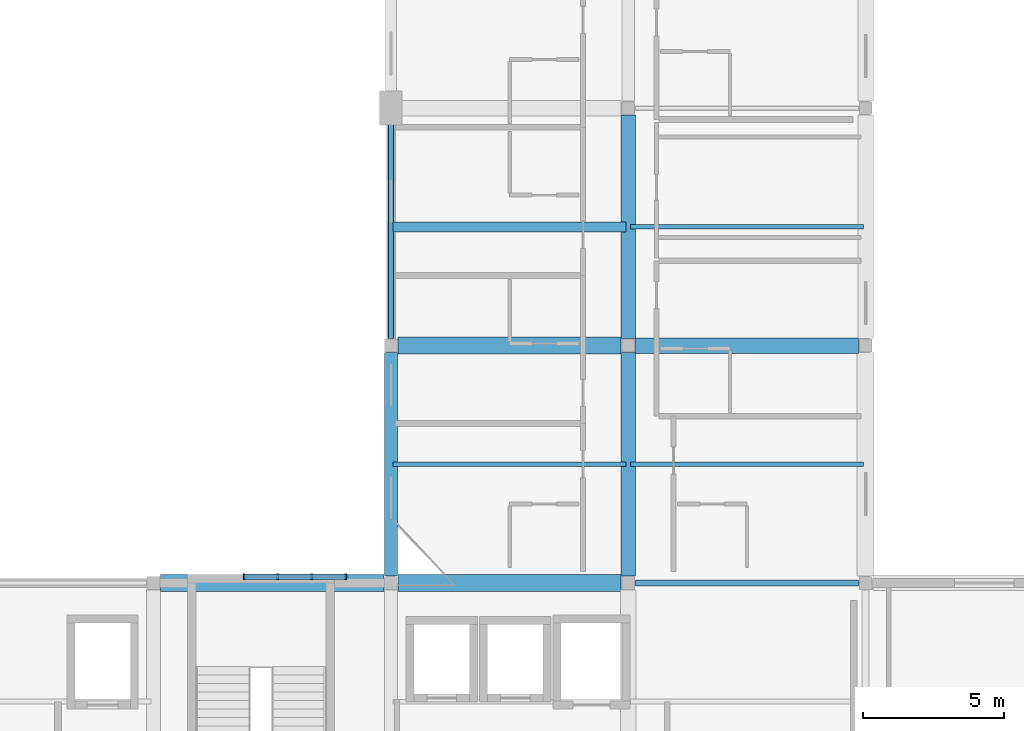
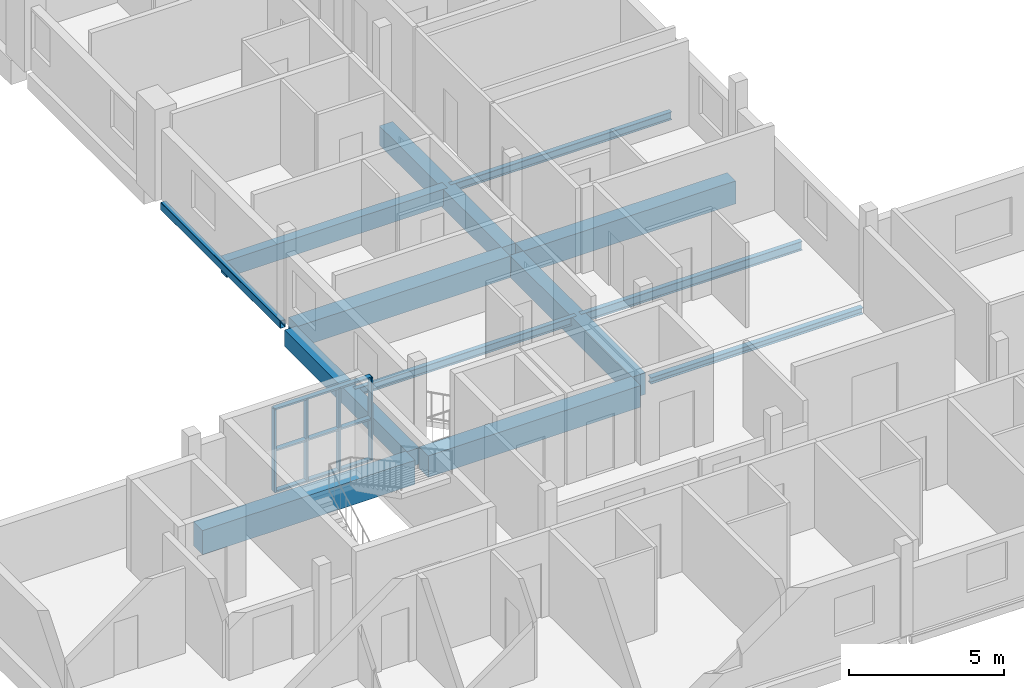
# One storey, part 2 of 19: 13 beams, 7 members, 1 element without a shape of its own.
"""IFC4 building model written with IfcOpenShell, lengths in metres."""

from ifc_helpers import new_model, si_unit, derived_unit, direction, frame, origin, origin_2d, place, context, subcontext, project, spatial, rectangle, hollow_rectangle, i_section, extrude, material, material_profile, profile_set, type_object, element, aggregate, save


model = new_model("IFC4")

# Units and contexts
model_context = context("Model", 3, precision=1e-05, world=origin(), true_north=direction((0.0, 1.0)))
body_context = subcontext(model_context, "Body", "Model", "MODEL_VIEW")
ifc_project = project(units=[si_unit("LENGTHUNIT", "METRE"), si_unit("AREAUNIT", "SQUARE_METRE"), si_unit("VOLUMEUNIT", "CUBIC_METRE"), si_unit("PLANEANGLEUNIT", "RADIAN"), si_unit("MASSUNIT", "GRAM", prefix="KILO"), derived_unit("THERMALTRANSMITTANCEUNIT", [(si_unit("POWERUNIT", "WATT"), 1), (si_unit("LENGTHUNIT", "METRE"), -2), (si_unit("THERMODYNAMICTEMPERATUREUNIT", "KELVIN"), -1)])], contexts=[model_context])

# Site, building, storey
site_placement = place(None, origin())
site = spatial("IfcSite", under=ifc_project, at=site_placement, CompositionType="ELEMENT")
building_placement = place(site_placement, origin())
building = spatial("IfcBuilding", under=site, at=building_placement, Name="Barrovel Congress Hotel", CompositionType="ELEMENT")
storey_placement = place(building_placement, frame((0.0, 0.0, 43.5)))
storey = spatial("IfcBuildingStorey", under=building, at=storey_placement, Name="L11", CompositionType="ELEMENT", Elevation=43.5)

# Beams
ifc_material_1 = material(Name="Concrete C40", Category="concrete")
ifc_material_profile_1 = material_profile(ifc_material_1, rectangle(XDim=0.35009765625, YDim=0.64990234375, at=origin_2d()), Name="RC350x650")
ifc_profile_set_1 = profile_set([ifc_material_profile_1], Name="Concrete C40")
beam_type_1 = type_object("IfcBeamType", Name="BM-RC350x650", PredefinedType="JOIST", material=ifc_profile_set_1)
beam_1_placement = place(storey_placement, frame((33.679931640625, 33.60009765625, -0.544921875), z_axis=(1.0, 0.0, 0.0), x_axis=(0.0, 1.0, 0.0)))
element("IfcBeam", 1, at=beam_1_placement, inside=storey, type_object=beam_type_1, Name="JST:L11:33.6:33.6", PredefinedType="JOIST", context=body_context, shape_type="SweptSolid", body=[
    extrude(rectangle(XDim=0.35009765625, YDim=0.64990234375, at=origin_2d()), origin(), (0.0, 0.0, 1.0), 8.239990234375),
])
ifc_material_profile_2 = material_profile(ifc_material_1, rectangle(XDim=0.449951171875, YDim=0.64990234375, at=origin_2d()), Name="RC450x650")
ifc_profile_set_2 = profile_set([ifc_material_profile_2], Name="Concrete C40")
beam_type_2 = type_object("IfcBeamType", Name="BM-RC450x650", PredefinedType="BEAM", material=ifc_profile_set_2)
beam_2_placement = place(storey_placement, frame((33.60009765625, 21.25, -0.544921875), z_axis=(0.0, 1.0, 0.0), x_axis=(-1.0, 0.0, 0.0)))
element("IfcBeam", 2, at=beam_2_placement, inside=storey, type_object=beam_type_2, Name="BMY:L11:33.6:21.0-29.4", PredefinedType="BEAM", context=body_context, shape_type="SweptSolid", body=[
    extrude(rectangle(XDim=0.449951171875, YDim=0.64990234375, at=origin_2d()), origin(), (0.0, 0.0, 1.0), 7.89990234375),
])
ifc_material_profile_3 = material_profile(ifc_material_1, rectangle(XDim=0.5, YDim=0.75, at=origin_2d()), Name="RC500x750")
ifc_profile_set_3 = profile_set([ifc_material_profile_3], Name="Concrete C40")
beam_type_3 = type_object("IfcBeamType", Name="BM-RC500x750", PredefinedType="BEAM", material=ifc_profile_set_3)
beam_3_placement = place(storey_placement, frame((42.0, 29.64990234375, -0.594970703125), z_axis=(0.0, 1.0, 0.0), x_axis=(-1.0, 0.0, 0.0)))
element("IfcBeam", 3, at=beam_3_placement, inside=storey, type_object=beam_type_3, Name="BMY:L11:42.0:29.4-37.8", PredefinedType="BEAM", context=body_context, shape_type="SweptSolid", body=[
    extrude(rectangle(XDim=0.5, YDim=0.75, at=origin_2d()), origin(), (0.0, 0.0, 1.0), 7.900146484375),
])
ifc_material_profile_4 = material_profile(ifc_material_1, rectangle(XDim=0.5, YDim=0.85009765625, at=origin_2d()), Name="RC500x850")
ifc_profile_set_4 = profile_set([ifc_material_profile_4], Name="Concrete C40")
beam_type_4 = type_object("IfcBeamType", Name="BM-RC500x850", PredefinedType="BEAM", material=ifc_profile_set_4)
beam_4_placement = place(storey_placement, frame((42.0, 21.25, -0.64501953125), z_axis=(0.0, 1.0, 0.0), x_axis=(-1.0, 0.0, 0.0)))
element("IfcBeam", 4, at=beam_4_placement, inside=storey, type_object=beam_type_4, Name="BMY:L11:42.0:21.0-29.4", PredefinedType="BEAM", context=body_context, shape_type="SweptSolid", body=[
    extrude(rectangle(XDim=0.5, YDim=0.85009765625, at=origin_2d()), origin(), (0.0, 0.0, 1.0), 7.89990234375),
])
ifc_material_profile_5 = material_profile(ifc_material_1, rectangle(XDim=0.550048828125, YDim=0.89990234375, at=origin_2d()), Name="RC550x900")
ifc_profile_set_5 = profile_set([ifc_material_profile_5], Name="Concrete C40")
beam_type_5 = type_object("IfcBeamType", Name="BM-RC550x900", PredefinedType="BEAM", material=ifc_profile_set_5)
beam_5_placement = place(storey_placement, frame((42.25, 29.39990234375, -0.669921875), z_axis=(1.0, 0.0, 0.0), x_axis=(0.0, 1.0, 0.0)))
element("IfcBeam", 5, at=beam_5_placement, inside=storey, type_object=beam_type_5, Name="BMX:L11:29.4:42.0-50.4", PredefinedType="BEAM", context=body_context, shape_type="SweptSolid", body=[
    extrude(rectangle(XDim=0.550048828125, YDim=0.89990234375, at=origin_2d()), origin(), (0.0, 0.0, 1.0), 7.89990234375),
])
ifc_material_profile_6 = material_profile(ifc_material_1, rectangle(XDim=0.60009765625, YDim=0.85009765625, at=origin_2d()), Name="RC600x850")
ifc_profile_set_6 = profile_set([ifc_material_profile_6], Name="Concrete C40")
beam_type_6 = type_object("IfcBeamType", Name="BM-RC600x850", PredefinedType="BEAM", material=ifc_profile_set_6)
for number, where, z_axis, x_axis, name in (
    (6, (33.85009765625, 21.0, -0.64501953125), (1.0, 0.0, 0.0), (0.0, 1.0, 0.0), "BMX:L11:21.0:33.6-42.0"),
    (7, (33.85009765625, 29.39990234375, -0.64501953125), (1.0, 0.0, 0.0), (0.0, 1.0, 0.0), "BMX:L11:29.4:33.6-42.0"),
):
    element("IfcBeam", number, at=place(storey_placement, frame(where, z_axis=z_axis, x_axis=x_axis)), inside=storey, type_object=beam_type_6, Name=name, PredefinedType="BEAM", context=body_context, shape_type="SweptSolid", body=[
        extrude(rectangle(XDim=0.60009765625, YDim=0.85009765625, at=origin_2d()), origin(), (0.0, 0.0, 1.0), 7.89990234375),
    ])
ifc_material_profile_7 = material_profile(ifc_material_1, rectangle(XDim=0.60009765625, YDim=0.949951171875, at=origin_2d()), Name="RC600x950")
ifc_profile_set_7 = profile_set([ifc_material_profile_7], Name="Concrete C40")
beam_type_7 = type_object("IfcBeamType", Name="BM-RC600x950", PredefinedType="BEAM", material=ifc_profile_set_7)
beam_6_placement = place(storey_placement, frame((25.449951171875, 21.0, -0.695068359375), z_axis=(1.0, 0.0, 0.0), x_axis=(0.0, 1.0, 0.0)))
element("IfcBeam", 8, at=beam_6_placement, inside=storey, type_object=beam_type_7, Name="BMX:L11:21.0:25.2-33.6", PredefinedType="BEAM", context=body_context, shape_type="SweptSolid", body=[
    extrude(rectangle(XDim=0.60009765625, YDim=0.949951171875, at=origin_2d()), origin(), (0.0, 0.0, 1.0), 7.900146484375),
])

# Curtain wall, members
ifc_material_2 = material(Name="Anodised Aluminium Alloy 6063-T6", Category="aluminium")
curtain_wall_type = type_object("IfcCurtainWallType", Name="CW-UN-3600x3200", PredefinedType="USERDEFINED", material=ifc_material_2)
curtain_wall_placement = place(storey_placement, origin())
curtain_wall = element("IfcCurtainWall", 9, at=curtain_wall_placement, inside=storey, type_object=curtain_wall_type, Name="CW:L11:UN-3", ObjectType="UNITISED CURTAIN WALL", PredefinedType="USERDEFINED")
ifc_material_profile_8 = material_profile(ifc_material_2, rectangle(XDim=0.06494140625, YDim=0.219970703125, at=origin_2d()), Name="AL-M65x220")
ifc_profile_set_8 = profile_set([ifc_material_profile_8], Name="Anodised Aluminium Alloy 6063-T6")
member_type_1 = type_object("IfcMemberType", Name="CWM-AL-M65x220", PredefinedType="MULLION", material=ifc_profile_set_8)
member_1_placement = place(storey_placement, frame((28.39990234375, 21.219970703125, 0.0), z_axis=(0.0, 0.0, 1.0), x_axis=(1.0, 0.0, 0.0)))
member_1 = element("IfcMember", 10, at=member_1_placement, type_object=member_type_1, Name="CW:L11:UN-3:M0", PredefinedType="MULLION", context=body_context, shape_type="SweptSolid", body=[
    extrude(rectangle(XDim=0.06494140625, YDim=0.219970703125, at=origin_2d()), origin(), (0.0, 0.0, 1.0), 3.25),
])
member_2_placement = place(storey_placement, frame((29.60009765625, 21.219970703125, 0.0), z_axis=(0.0, 0.0, 1.0), x_axis=(1.0, 0.0, 0.0)))
member_2 = element("IfcMember", 11, at=member_2_placement, type_object=member_type_1, Name="CW:L11:UN-3:M1", PredefinedType="MULLION", context=body_context, shape_type="SweptSolid", body=[
    extrude(rectangle(XDim=0.06494140625, YDim=0.219970703125, at=origin_2d()), origin(), (0.0, 0.0, 1.0), 3.25),
])
member_3_placement = place(storey_placement, frame((30.800048828125, 21.219970703125, 0.0), z_axis=(0.0, 0.0, 1.0), x_axis=(1.0, 0.0, 0.0)))
member_3 = element("IfcMember", 12, at=member_3_placement, type_object=member_type_1, Name="CW:L11:UN-3:M2", PredefinedType="MULLION", context=body_context, shape_type="SweptSolid", body=[
    extrude(rectangle(XDim=0.06494140625, YDim=0.219970703125, at=origin_2d()), origin(), (0.0, 0.0, 1.0), 3.25),
])
member_4_placement = place(storey_placement, frame((32.0, 21.219970703125, 0.0), z_axis=(0.0, 0.0, 1.0), x_axis=(1.0, 0.0, 0.0)))
member_4 = element("IfcMember", 13, at=member_4_placement, type_object=member_type_1, Name="CW:L11:UN-3:M3", PredefinedType="MULLION", context=body_context, shape_type="SweptSolid", body=[
    extrude(rectangle(XDim=0.06494140625, YDim=0.219970703125, at=origin_2d()), origin(), (0.0, 0.0, 1.0), 3.25),
])
ifc_material_profile_9 = material_profile(ifc_material_2, rectangle(XDim=0.179931640625, YDim=0.06494140625, at=origin_2d()), Name="AL-T65x180")
ifc_profile_set_9 = profile_set([ifc_material_profile_9], Name="Anodised Aluminium Alloy 6063-T6")
member_type_2 = type_object("IfcMemberType", Name="CWT-AL-T65x180", PredefinedType="USERDEFINED", material=ifc_profile_set_9)
member_5_placement = place(storey_placement, frame((28.39990234375, 21.219970703125, 0.0), z_axis=(1.0, 0.0, 0.0), x_axis=(0.0, 1.0, 0.0)))
member_5 = element("IfcMember", 14, at=member_5_placement, type_object=member_type_2, Name="CW:L11:UN-3:T0", ObjectType="TRANSOM", PredefinedType="USERDEFINED", context=body_context, shape_type="SweptSolid", body=[
    extrude(rectangle(XDim=0.179931640625, YDim=0.06494140625, at=origin_2d()), origin(), (0.0, 0.0, 1.0), 3.60009765625),
])
member_6_placement = place(storey_placement, frame((28.39990234375, 21.219970703125, 1.625), z_axis=(1.0, 0.0, 0.0), x_axis=(0.0, 1.0, 0.0)))
member_6 = element("IfcMember", 15, at=member_6_placement, type_object=member_type_2, Name="CW:L11:UN-3:T1", ObjectType="TRANSOM", PredefinedType="USERDEFINED", context=body_context, shape_type="SweptSolid", body=[
    extrude(rectangle(XDim=0.179931640625, YDim=0.06494140625, at=origin_2d()), origin(), (0.0, 0.0, 1.0), 3.60009765625),
])
member_7_placement = place(storey_placement, frame((28.39990234375, 21.219970703125, 3.25), z_axis=(1.0, 0.0, 0.0), x_axis=(0.0, 1.0, 0.0)))
member_7 = element("IfcMember", 16, at=member_7_placement, type_object=member_type_2, Name="CW:L11:UN-3:T2", ObjectType="TRANSOM", PredefinedType="USERDEFINED", context=body_context, shape_type="SweptSolid", body=[
    extrude(rectangle(XDim=0.179931640625, YDim=0.06494140625, at=origin_2d()), origin(), (0.0, 0.0, 1.0), 3.60009765625),
])
aggregate(curtain_wall, [member_1, member_2, member_3, member_4, member_5, member_6, member_7])

# Beams
ifc_material_3 = material(Name="Steel ASTM A500 Grade C", Category="steel")
ifc_material_profile_10 = material_profile(ifc_material_3, hollow_rectangle(XDim=0.203125, YDim=0.3046875, WallThickness=0.01171875, InnerFilletRadius=0.01171875, OuterFilletRadius=0.023681640625, at=origin_2d()), Name="HSS305x203x12.7")
ifc_profile_set_10 = profile_set([ifc_material_profile_10], Name="Steel ASTM A500 Grade C")
beam_type_8 = type_object("IfcBeamType", Name="SBM-HSS305x203x12.7", PredefinedType="SPANDREL", material=ifc_profile_set_10)
beam_7_placement = place(storey_placement, frame((33.60009765625, 29.64990234375, -0.372314453125), z_axis=(0.0, 1.0, 0.0), x_axis=(-1.0, 0.0, 0.0)))
element("IfcBeam", 17, at=beam_7_placement, inside=storey, type_object=beam_type_8, Name="BMY:L11:33.6:29.4-37.8", PredefinedType="SPANDREL", context=body_context, shape_type="SweptSolid", body=[
    extrude(hollow_rectangle(XDim=0.203125, YDim=0.3046875, WallThickness=0.01171875, InnerFilletRadius=0.01171875, OuterFilletRadius=0.023681640625, at=origin_2d()), origin(), (0.0, 0.0, 1.0), 7.7001953125),
])
ifc_material_4 = material(Name="Steel ASTM A992 Grade 50", Category="steel")
ifc_material_profile_11 = material_profile(ifc_material_4, i_section(OverallWidth=0.201904296875, OverallDepth=0.2470703125, WebThickness=0.00732421875, FlangeThickness=0.010986328125, FilletRadius=0.011962890625, at=origin_2d()), Name="W250x49")
ifc_profile_set_11 = profile_set([ifc_material_profile_11], Name="Steel ASTM A992 Grade 50")
beam_type_9 = type_object("IfcBeamType", Name="SBM-W250x49", PredefinedType="SPANDREL", material=ifc_profile_set_11)
beam_8_placement = place(storey_placement, frame((42.25, 21.0, -0.343505859375), z_axis=(1.0, 0.0, 0.0), x_axis=(0.0, 1.0, 0.0)))
element("IfcBeam", 18, at=beam_8_placement, inside=storey, type_object=beam_type_9, Name="BMX:L11:21.0:42.0-50.4", PredefinedType="SPANDREL", context=body_context, shape_type="SweptSolid", body=[
    extrude(i_section(OverallWidth=0.201904296875, OverallDepth=0.2470703125, WebThickness=0.00732421875, FlangeThickness=0.010986328125, FilletRadius=0.011962890625, at=origin_2d()), origin(), (0.0, 0.0, 1.0), 7.89990234375),
])
ifc_material_profile_12 = material_profile(ifc_material_4, i_section(OverallWidth=0.1650390625, OverallDepth=0.31005859375, WebThickness=0.005859375, FlangeThickness=0.009765625, FilletRadius=0.010986328125, at=origin_2d()), Name="W310x39")
ifc_profile_set_12 = profile_set([ifc_material_profile_12], Name="Steel ASTM A992 Grade 50")
beam_type_10 = type_object("IfcBeamType", Name="SBM-W310x39", PredefinedType="JOIST", material=ifc_profile_set_12)
beam_9_placement = place(storey_placement, frame((33.679931640625, 25.199951171875, -0.375), z_axis=(1.0, 0.0, 0.0), x_axis=(0.0, 1.0, 0.0)))
element("IfcBeam", 19, at=beam_9_placement, inside=storey, type_object=beam_type_10, Name="JST:L11:33.6:25.2", PredefinedType="JOIST", context=body_context, shape_type="SweptSolid", body=[
    extrude(i_section(OverallWidth=0.1650390625, OverallDepth=0.31005859375, WebThickness=0.005859375, FlangeThickness=0.009765625, FilletRadius=0.010986328125, at=origin_2d()), origin(), (0.0, 0.0, 1.0), 8.239990234375),
])
ifc_material_profile_13 = material_profile(ifc_material_4, i_section(OverallWidth=0.1669921875, OverallDepth=0.31689453125, WebThickness=0.007568359375, FlangeThickness=0.01318359375, FilletRadius=0.010986328125, at=origin_2d()), Name="W310x52")
ifc_profile_set_13 = profile_set([ifc_material_profile_13], Name="Steel ASTM A992 Grade 50")
beam_type_11 = type_object("IfcBeamType", Name="SBM-W310x52", PredefinedType="JOIST", material=ifc_profile_set_13)
beam_10_placement = place(storey_placement, frame((42.080078125, 33.60009765625, -0.37841796875), z_axis=(1.0, 0.0, 0.0), x_axis=(0.0, 1.0, 0.0)))
element("IfcBeam", 20, at=beam_10_placement, inside=storey, type_object=beam_type_11, Name="JST:L11:42.0:33.6", PredefinedType="JOIST", context=body_context, shape_type="SweptSolid", body=[
    extrude(i_section(OverallWidth=0.1669921875, OverallDepth=0.31689453125, WebThickness=0.007568359375, FlangeThickness=0.01318359375, FilletRadius=0.010986328125, at=origin_2d()), origin(), (0.0, 0.0, 1.0), 8.239990234375),
])
ifc_material_profile_14 = material_profile(ifc_material_4, i_section(OverallWidth=0.1708984375, OverallDepth=0.35205078125, WebThickness=0.0068359375, FlangeThickness=0.009765625, FilletRadius=0.011962890625, at=origin_2d()), Name="W360x44")
ifc_profile_set_14 = profile_set([ifc_material_profile_14], Name="Steel ASTM A992 Grade 50")
beam_type_12 = type_object("IfcBeamType", Name="SBM-W360x44", PredefinedType="JOIST", material=ifc_profile_set_14)
beam_11_placement = place(storey_placement, frame((42.080078125, 25.199951171875, -0.39599609375), z_axis=(1.0, 0.0, 0.0), x_axis=(0.0, 1.0, 0.0)))
element("IfcBeam", 21, at=beam_11_placement, inside=storey, type_object=beam_type_12, Name="JST:L11:42.0:25.2", PredefinedType="JOIST", context=body_context, shape_type="SweptSolid", body=[
    extrude(i_section(OverallWidth=0.1708984375, OverallDepth=0.35205078125, WebThickness=0.0068359375, FlangeThickness=0.009765625, FilletRadius=0.011962890625, at=origin_2d()), origin(), (0.0, 0.0, 1.0), 8.239990234375),
])

save(model, "model.ifc")
